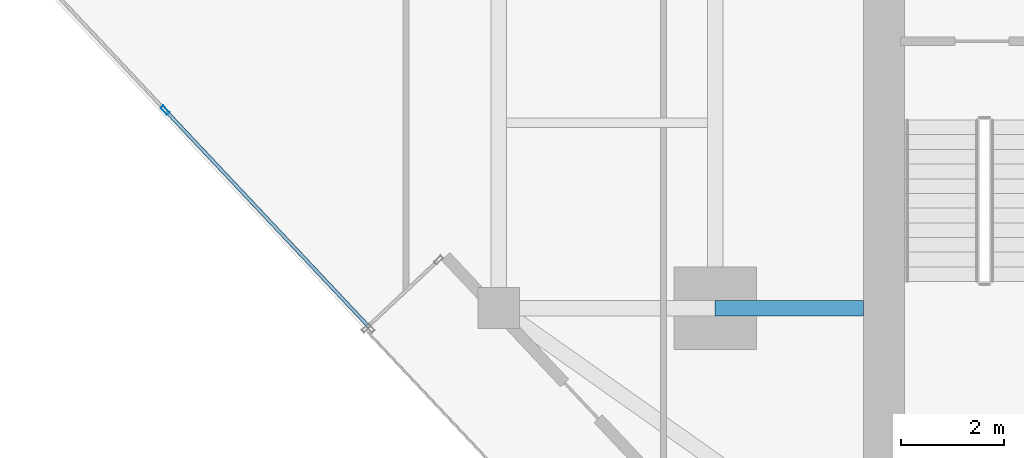
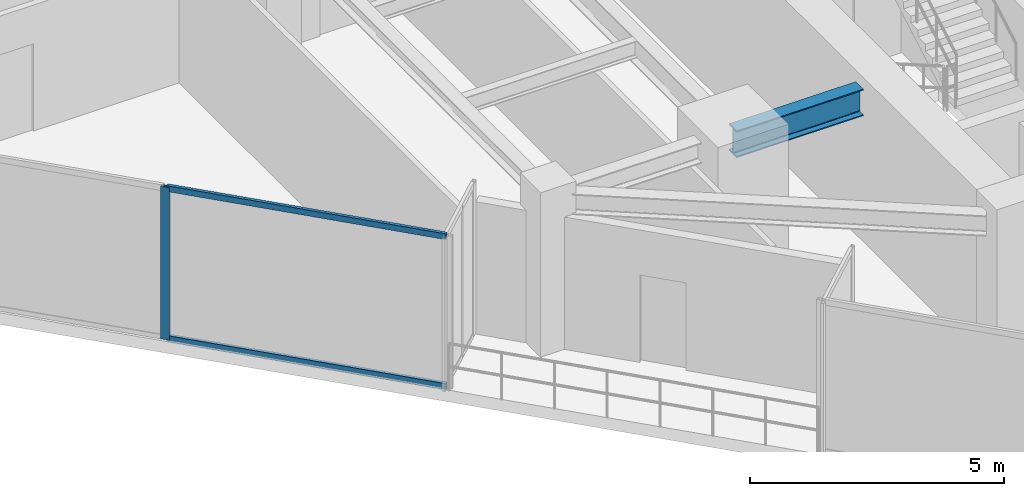
# One storey, part 4 of 24: 3 members, 1 beam, 1 element without a shape of its own.
"""IFC4 building model written with IfcOpenShell, lengths in metres."""

from ifc_helpers import new_model, si_unit, direction, frame, origin, origin_2d, place, context, subcontext, project, spatial, hollow_rectangle, i_section, extrude, source, transform, mapped, material, material_profile, profile_set, type_object, type_shapes, element, aggregate, save


model = new_model("IFC4")

# Units and contexts
model_context = context("Model", 3, precision=1e-05, world=origin(), true_north=direction((0.0, 1.0)))
body_context = subcontext(model_context, "Body", "Model", "MODEL_VIEW")
ifc_project = project(units=[si_unit("LENGTHUNIT", "METRE"), si_unit("AREAUNIT", "SQUARE_METRE"), si_unit("VOLUMEUNIT", "CUBIC_METRE"), si_unit("PLANEANGLEUNIT", "RADIAN"), si_unit("MASSUNIT", "GRAM", prefix="KILO")], contexts=[model_context])

# Site, building, storey
site_placement = place(None, origin())
site = spatial("IfcSite", under=ifc_project, at=site_placement, CompositionType="ELEMENT")
building_placement = place(site_placement, origin())
building = spatial("IfcBuilding", under=site, at=building_placement, Name="Krantzveldt Concourse Tower", CompositionType="ELEMENT")
storey_placement = place(building_placement, frame((0.0, 0.0, 242.85009765625)))
storey = spatial("IfcBuildingStorey", under=building, at=storey_placement, Name="L59", CompositionType="ELEMENT", Elevation=242.85009765625)

# Beam
ifc_material_1 = material(Name="Steel S355JR", Category="steel")
ifc_material_profile_1 = material_profile(ifc_material_1, i_section(OverallWidth=0.300048828125, OverallDepth=0.639892578125, WebThickness=0.013427734375, FlangeThickness=0.02587890625, FilletRadius=0.027099609375, at=origin_2d()), Name="Steel S355JR", Category="steel")
ifc_profile_set_1 = profile_set([ifc_material_profile_1], Name="Steel S355JR - HEA 650")
beam_type = type_object("IfcBeamType", Name="BM-B-HEA650", PredefinedType="BEAM", material=ifc_profile_set_1)
shared_shape_1 = source(origin(), body_context, "Body", "SweptSolid", [
    extrude(i_section(OverallWidth=0.300048828125, OverallDepth=0.639892578125, WebThickness=0.013427734375, FlangeThickness=0.02587890625, FilletRadius=0.027099609375, at=origin_2d()), origin(), (0.0, 0.0, 1.0), 2.880126953125),
])
type_shapes(beam_type, [shared_shape_1])
beam_placement = place(storey_placement, frame((25.199951171875, 15.89990234375, 3.349853515625), z_axis=(1.0, 0.0, 0.0), x_axis=(0.0, 1.0, 0.0)))
element("IfcBeam", 1, at=beam_placement, inside=storey, type_object=beam_type, Name="L59 Tower Girder BG-CW1", PredefinedType="BEAM", context=body_context, shape_type="MappedRepresentation", body=[
    mapped(shared_shape_1, transform((0.0, 0.0, 0.0), x_axis=(1.0, 0.0, 0.0), y_axis=(0.0, 1.0, 0.0), z_axis=(0.0, 0.0, 1.0), scale=1.0)),
])

# Curtain wall, members
ifc_material_2 = material(Name="Anodised aluminium 6063-T6", Category="aluminium")
curtain_wall_type = type_object("IfcCurtainWallType", Name="CW3", PredefinedType="USERDEFINED", material=ifc_material_2)
curtain_wall_placement = place(storey_placement, origin())
curtain_wall = element("IfcCurtainWall", 2, at=curtain_wall_placement, inside=storey, type_object=curtain_wall_type, Name="CW-L59-F04", ObjectType="UNITISED CURTAIN WALL", PredefinedType="USERDEFINED")
ifc_material_profile_2 = material_profile(ifc_material_2, hollow_rectangle(XDim=0.070068359375, YDim=0.179931640625, WallThickness=0.0048828125, at=origin_2d()), Name="Anodised aluminium 6063-T6", Category="aluminium")
ifc_profile_set_2 = profile_set([ifc_material_profile_2], Name="Anodised aluminium 6063-T6 - ALU-MULL 180x70x5")
member_type_1 = type_object("IfcMemberType", Name="CW-MUL-180", PredefinedType="MULLION", material=ifc_profile_set_2)
shared_shape_2 = source(origin(), body_context, "Body", "SweptSolid", [
    extrude(hollow_rectangle(XDim=0.070068359375, YDim=0.179931640625, WallThickness=0.0048828125, at=origin_2d()), origin(), (0.0, 0.0, 1.0), 3.669921875),
])
type_shapes(member_type_1, [shared_shape_2])
member_1_placement = place(storey_placement, frame((14.52197265625, 19.744140625, 0.0), z_axis=(0.0, 0.0, 1.0), x_axis=(0.728370998021, 0.685182960414, 0.0)))
member_1 = element("IfcMember", 3, at=member_1_placement, type_object=member_type_1, Name="CW-Z34 mullion 2", PredefinedType="MULLION", context=body_context, shape_type="MappedRepresentation", body=[
    mapped(shared_shape_2, transform((0.0, 0.0, 0.0), x_axis=(1.0, 0.0, 0.0), y_axis=(0.0, 1.0, 0.0), z_axis=(0.0, 0.0, 1.0), scale=1.0)),
])
ifc_material_profile_3 = material_profile(ifc_material_2, hollow_rectangle(XDim=0.070068359375, YDim=0.139892578125, WallThickness=0.0048828125, at=origin_2d()), Name="Anodised aluminium 6063-T6", Category="aluminium")
ifc_profile_set_3 = profile_set([ifc_material_profile_3], Name="Anodised aluminium 6063-T6 - ALU-TRAN 140x70x5")
member_type_2 = type_object("IfcMemberType", Name="CW-TRN-150", PredefinedType="USERDEFINED", material=ifc_profile_set_3)
shared_shape_3 = source(origin(), body_context, "Body", "SweptSolid", [
    extrude(hollow_rectangle(XDim=0.070068359375, YDim=0.139892578125, WallThickness=0.0048828125, at=origin_2d()), origin(), (0.0, 0.0, 1.0), 5.744873046875),
])
type_shapes(member_type_2, [shared_shape_3])
member_2_placement = place(storey_placement, frame((14.5458984375, 19.71875, 0.034912109375), z_axis=(0.685167163665, -0.728385857795, 0.0), x_axis=(0.728385857795, 0.685167163665, 0.0)))
member_2 = element("IfcMember", 4, at=member_2_placement, type_object=member_type_2, Name="CW-Z34 transom 2.1", ObjectType="TRANSOM", PredefinedType="USERDEFINED", context=body_context, shape_type="MappedRepresentation", body=[
    mapped(shared_shape_3, transform((0.0, 0.0, 0.0), x_axis=(1.0, 0.0, 0.0), y_axis=(0.0, 1.0, 0.0), z_axis=(0.0, 0.0, 1.0), scale=1.0)),
])
member_3_placement = place(storey_placement, frame((14.5458984375, 19.71875, 3.635009765625), z_axis=(0.685167163665, -0.728385857795, 0.0), x_axis=(0.728385857795, 0.685167163665, 0.0)))
member_3 = element("IfcMember", 5, at=member_3_placement, type_object=member_type_2, Name="CW-Z34 transom 2.2", ObjectType="TRANSOM", PredefinedType="USERDEFINED", context=body_context, shape_type="MappedRepresentation", body=[
    mapped(shared_shape_3, transform((0.0, 0.0, 0.0), x_axis=(1.0, 0.0, 0.0), y_axis=(0.0, 1.0, 0.0), z_axis=(0.0, 0.0, 1.0), scale=1.0)),
])
aggregate(curtain_wall, [member_1, member_2, member_3])

save(model, "model.ifc")
